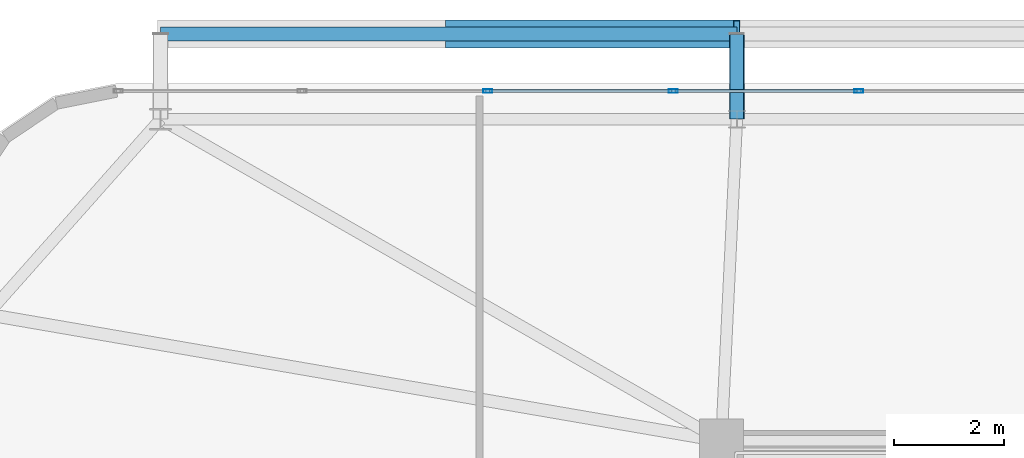
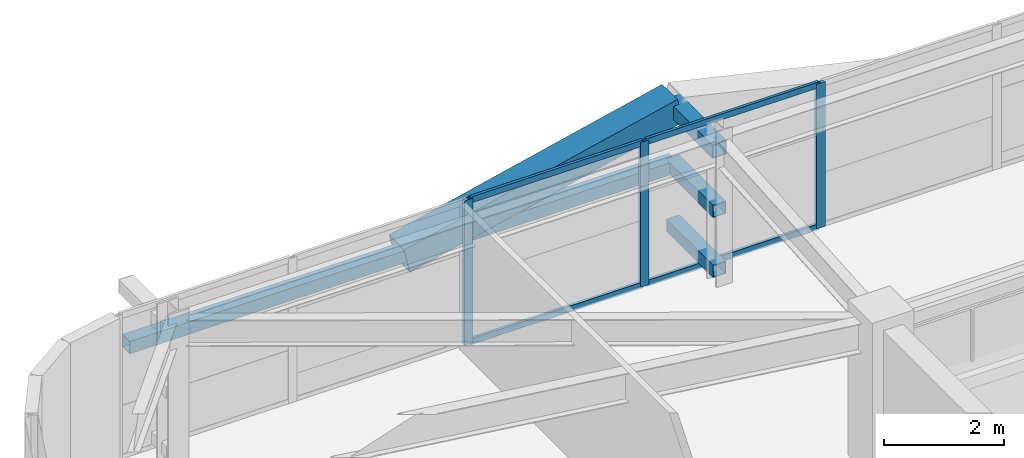
# One storey, part 35 of 59: 12 members, 1 element without a shape of its own.
"""IFC4 building model written with IfcOpenShell, lengths in metres."""

import ifcopenshell
import ifcopenshell.guid

model = None  # the IFC model being written
_history = None  # IfcOwnerHistory: only IFC2X3 demands one
_inside = {}  # id of a spatial element -> (the spatial element, [elements in it])
_under = {}  # id of a project, library or spatial element -> (it, [spatial elements below it])
_declared = {}  # id of a project -> (the project, [libraries it declares])
_typed = {}  # id of a type object -> (the type object, [elements of that type])
_made_of = {}  # id of a material, layer set ... -> (it, [elements and type objects made of it])


def new_model(schema):
    """Start an empty IFC model of exactly this schema.

    Asked for "IFC4X3", IfcOpenShell would pick the latest addendum, in which some entities
    have other attributes; the version numbers below select the first issue.
    IFC2X3 requires an IfcOwnerHistory on every rooted entity: one is made here for all.
    """
    global model, _history
    if schema == "IFC4X3":
        model = ifcopenshell.file(schema_version=(4, 3, 0, 0))
    else:
        model = ifcopenshell.file(schema=schema)
    _inside.clear()
    _under.clear()
    _declared.clear()
    _typed.clear()
    _made_of.clear()
    _history = None
    if model.schema == "IFC2X3":
        org = make("IfcOrganization", Name="unknown")
        user = make(
            "IfcPersonAndOrganization",
            ThePerson=make("IfcPerson", FamilyName="unknown"),
            TheOrganization=org,
        )
        app = make(
            "IfcApplication",
            ApplicationDeveloper=org,
            Version="unknown",
            ApplicationFullName="unknown",
            ApplicationIdentifier="unknown",
        )
        _history = make(
            "IfcOwnerHistory",
            OwningUser=user,
            OwningApplication=app,
            ChangeAction="ADDED",
            CreationDate=0,
        )
    return model


def make(cls, **values):
    """One entity of the class cls with the attributes given. An attribute that is None is left unset."""
    return model.create_entity(
        cls, **{name: value for name, value in values.items() if value is not None}
    )


def rooted(cls, **values):
    """An entity with a GlobalId (a new one), such as an element, a storey or a relation."""
    return make(cls, GlobalId=ifcopenshell.guid.new(), OwnerHistory=_history, **values)


def si_unit(unit_type, name, prefix=None):
    """IfcSIUnit, for example si_unit("LENGTHUNIT", "METRE", prefix="MILLI")."""
    return make("IfcSIUnit", UnitType=unit_type, Prefix=prefix, Name=name)


def assignment(units):
    """IfcUnitAssignment: the units of a project."""
    return None if units is None else make("IfcUnitAssignment", Units=units)


def point(xyz):
    """IfcCartesianPoint."""
    return None if xyz is None else make("IfcCartesianPoint", Coordinates=xyz)


def direction(xyz):
    """IfcDirection."""
    return None if xyz is None else make("IfcDirection", DirectionRatios=xyz)


def frame(location, z_axis=None, x_axis=None):
    """IfcAxis2Placement3D, a coordinate frame: its origin and axes. An axis left out is left unset."""
    return make(
        "IfcAxis2Placement3D",
        Location=point(location),
        Axis=direction(z_axis),
        RefDirection=direction(x_axis),
    )


def frame_2d(location, x_axis=None):
    """IfcAxis2Placement2D, a coordinate frame in the plane: its origin and x axis."""
    return make(
        "IfcAxis2Placement2D", Location=point(location), RefDirection=direction(x_axis)
    )


def origin():
    """The frame at (0, 0, 0) with its axes left unset."""
    return frame((0.0, 0.0, 0.0))


def origin_2d():
    """The frame at (0, 0) in the plane with its x axis left unset."""
    return frame_2d((0.0, 0.0))


def place(relative_to, where):
    """IfcLocalPlacement: puts the frame where relative to a parent placement (None: the world)."""
    return make(
        "IfcLocalPlacement", PlacementRelTo=relative_to, RelativePlacement=where
    )


def context(
    kind, dimensions, precision=None, world=None, true_north=None, identifier=None
):
    """IfcGeometricRepresentationContext, for example the 3D "Model" context."""
    return make(
        "IfcGeometricRepresentationContext",
        ContextIdentifier=identifier,
        ContextType=kind,
        CoordinateSpaceDimension=dimensions,
        Precision=precision,
        WorldCoordinateSystem=world,
        TrueNorth=true_north,
    )


def subcontext(parent, identifier, kind, view, scale=None):
    """IfcGeometricRepresentationSubContext, for example "Body" below "Model"."""
    return make(
        "IfcGeometricRepresentationSubContext",
        ContextIdentifier=identifier,
        ContextType=kind,
        ParentContext=parent,
        TargetScale=scale,
        TargetView=view,
    )


def project(units=None, contexts=None):
    """IfcProject with its units and contexts."""
    return rooted(
        "IfcProject",
        Name="project",
        RepresentationContexts=contexts,
        UnitsInContext=assignment(units),
    )


def spatial(cls, under=None, at=None, **own):
    """A site, building, storey or space (cls), placed at a placement, below another one or the project."""
    s = rooted(cls, ObjectPlacement=at, **own)
    if under is not None:
        _under.setdefault(under.id(), (under, []))[1].append(s)
    return s


def profile(cls, at=None, kind="AREA", **sizes):
    """A parametric profile (cls). Its sizes go by their IFC names, for example OverallWidth=200.0."""
    return make(cls, ProfileType=kind, Position=at, **sizes)


def hollow_rectangle(**sizes):
    """IfcRectangleHollowProfileDef."""
    return profile("IfcRectangleHollowProfileDef", **sizes)


def extrude(swept, where, along, depth):
    """IfcExtrudedAreaSolid: the profile swept, set in the frame where, extruded along a direction by depth."""
    return make(
        "IfcExtrudedAreaSolid",
        SweptArea=swept,
        Position=where,
        ExtrudedDirection=direction(along),
        Depth=depth,
    )


def shape(context_of_items, identifier, shape_type, items):
    """IfcShapeRepresentation: the items that make up one representation, for example the "Body"."""
    return make(
        "IfcShapeRepresentation",
        ContextOfItems=context_of_items,
        RepresentationIdentifier=identifier,
        RepresentationType=shape_type,
        Items=items,
    )


def source(mapping_origin, context_of_items, identifier, shape_type, items):
    """IfcRepresentationMap: a shape defined once, which mapped items show again and again."""
    return make(
        "IfcRepresentationMap",
        MappingOrigin=mapping_origin,
        MappedRepresentation=shape(context_of_items, identifier, shape_type, items),
    )


def transform(
    local_origin,
    x_axis=None,
    y_axis=None,
    z_axis=None,
    scale=None,
    scale2=None,
    scale3=None,
    uniform=True,
):
    """IfcCartesianTransformationOperator3D, or its non-uniform kind. x_axis, y_axis, z_axis: its Axis1, 2, 3."""
    if uniform:
        return make(
            "IfcCartesianTransformationOperator3D",
            Axis1=direction(x_axis),
            Axis2=direction(y_axis),
            LocalOrigin=point(local_origin),
            Scale=scale,
            Axis3=direction(z_axis),
        )
    return make(
        "IfcCartesianTransformationOperator3DnonUniform",
        Axis1=direction(x_axis),
        Axis2=direction(y_axis),
        LocalOrigin=point(local_origin),
        Scale=scale,
        Axis3=direction(z_axis),
        Scale2=scale2,
        Scale3=scale3,
    )


def mapped(mapping_source, mapping_target):
    """IfcMappedItem: shows the shape of a source again, moved by a transform."""
    return make(
        "IfcMappedItem", MappingSource=mapping_source, MappingTarget=mapping_target
    )


def material(Name=None, Category=None):
    """IfcMaterial."""
    return make("IfcMaterial", Name=Name, Category=Category)


def layer(
    of_material, thickness, ventilated=None, Name=None, Category=None, Priority=None
):
    """IfcMaterialLayer: one layer of a wall or slab, of a material (None: an air gap)."""
    return make(
        "IfcMaterialLayer",
        Material=of_material,
        LayerThickness=thickness,
        IsVentilated=ventilated,
        Name=Name,
        Category=Category,
        Priority=Priority,
    )


def layer_set(layers, Name=None):
    """IfcMaterialLayerSet."""
    return make("IfcMaterialLayerSet", MaterialLayers=layers, LayerSetName=Name)


def material_profile(
    of_material, cross_section, Name=None, Category=None, Priority=None
):
    """IfcMaterialProfile: a cross section and its material."""
    return make(
        "IfcMaterialProfile",
        Name=Name,
        Material=of_material,
        Profile=cross_section,
        Priority=Priority,
        Category=Category,
    )


def profile_set(profiles, Name=None, composite=None):
    """IfcMaterialProfileSet."""
    return make(
        "IfcMaterialProfileSet",
        Name=Name,
        MaterialProfiles=profiles,
        CompositeProfile=composite,
    )


def made_of(thing, what):
    """Note that an element or type object is made of a material, layer set ...; save() writes the relation."""
    if what is not None:
        _made_of.setdefault(what.id(), (what, []))[1].append(thing)
    return thing


def type_object(cls, material=None, **own):
    """A type object (cls), such as IfcWallType, which elements share."""
    return made_of(rooted(cls, **own), material)


def element(
    cls,
    number,
    at=None,
    inside=None,
    cuts=None,
    type_object=None,
    material=None,
    context=None,
    identifier="Body",
    shape_type=None,
    held_by="IfcProductDefinitionShape",
    body=None,
    shapes=None,
    **own,
):
    """One element of the class cls, such as IfcWall. Its Tag is "e" and its number.

    at: its placement. inside: the storey or other place that contains it. cuts: it is an
    opening in that element (IfcRelVoidsElement). A single representation is given by context,
    identifier, shape_type and body (its items); several are given by shapes. held_by: the class
    of the entity that holds the representations. save() writes the other relations.
    """
    e = rooted(cls, Tag="e%d" % number, ObjectPlacement=at, **own)
    if body is not None:
        shapes = [shape(context, identifier, shape_type, body)]
    if shapes is not None:
        e.Representation = make(held_by, Representations=shapes)
    if inside is not None:
        _inside.setdefault(inside.id(), (inside, []))[1].append(e)
    if cuts is not None:
        rooted(
            "IfcRelVoidsElement", RelatingBuildingElement=cuts, RelatedOpeningElement=e
        )
    if type_object is not None:
        _typed.setdefault(type_object.id(), (type_object, []))[1].append(e)
    return made_of(e, material)


def aggregate(whole, parts):
    """IfcRelAggregates: a whole, such as a stair, and the parts it consists of."""
    return rooted("IfcRelAggregates", RelatingObject=whole, RelatedObjects=parts)


def save(model, path):
    """Write the relations noted so far, then the file.

    IfcRelAggregates (storeys below a building ...), IfcRelContainedInSpatialStructure (elements
    in a storey), IfcRelDefinesByType, IfcRelAssociatesMaterial and IfcRelDeclares: one each for
    every whole, place, type object, material and project.
    """
    for whole, parts in _under.values():
        aggregate(whole, parts)
    for where, things in _inside.values():
        rooted(
            "IfcRelContainedInSpatialStructure",
            RelatedElements=things,
            RelatingStructure=where,
        )
    for kind, things in _typed.values():
        rooted("IfcRelDefinesByType", RelatedObjects=things, RelatingType=kind)
    for what, things in _made_of.values():
        rooted("IfcRelAssociatesMaterial", RelatedObjects=things, RelatingMaterial=what)
    for by, libraries in _declared.values():
        rooted("IfcRelDeclares", RelatingContext=by, RelatedDefinitions=libraries)
    model.write(path)


model = new_model("IFC4")

# Units and contexts
model_context = context("Model", 3, precision=1e-05, world=origin(), true_north=direction((0.0, 1.0)))
body_context = subcontext(model_context, "Body", "Model", "MODEL_VIEW")
ifc_project = project(units=[si_unit("LENGTHUNIT", "METRE"), si_unit("AREAUNIT", "SQUARE_METRE"), si_unit("VOLUMEUNIT", "CUBIC_METRE"), si_unit("PLANEANGLEUNIT", "RADIAN"), si_unit("MASSUNIT", "GRAM", prefix="KILO")], contexts=[model_context])

# Site, building, storey
site_placement = place(None, origin())
site = spatial("IfcSite", under=ifc_project, at=site_placement, CompositionType="ELEMENT")
building_placement = place(site_placement, origin())
building = spatial("IfcBuilding", under=site, at=building_placement, Name="Taldren Reach Tower", CompositionType="ELEMENT")
storey_placement = place(building_placement, frame((0.0, 0.0, 29.39990234375)))
storey = spatial("IfcBuildingStorey", under=building, at=storey_placement, Name="L08", CompositionType="ELEMENT", Elevation=29.39990234375)

# Members
ifc_material_1 = material(Name="Steel Gr 450 (C450L0)", Category="steel")
ifc_material_profile_1 = material_profile(ifc_material_1, hollow_rectangle(XDim=0.27490234375, YDim=0.27490234375, WallThickness=0.00927734375, at=origin_2d()), Name="275x275x9.3SHS")
ifc_profile_set_1 = profile_set([ifc_material_profile_1], Name="Steel Gr 450 (C450L0)")
member_type_1 = type_object("IfcMemberType", Name="MB-TIE273", PredefinedType="STRUT", material=ifc_profile_set_1)
shared_shape_1 = source(origin(), body_context, "Body", "SweptSolid", [
    extrude(hollow_rectangle(XDim=0.27490234375, YDim=0.27490234375, WallThickness=0.00927734375, at=origin_2d()), origin(), (0.0, 0.0, 1.0), 1.5498046875),
])
member_1_placement = place(storey_placement, frame((19.280029296875, 37.85009765625, 2.650146484375), z_axis=(0.0, 1.0, 0.0), x_axis=(-1.0, 0.0, 0.0)))
element("IfcMember", 1, at=member_1_placement, inside=storey, type_object=member_type_1, Name="Exoskeleton diaphragm tie strut B1-N2 L08", PredefinedType="STRUT", context=body_context, shape_type="MappedRepresentation", body=[
    mapped(shared_shape_1, transform((0.0, 0.0, 0.0), scale=1.0)),
])
ifc_material_profile_2 = material_profile(ifc_material_1, hollow_rectangle(XDim=0.510009765625, YDim=0.510009765625, WallThickness=0.02001953125, at=origin_2d()), Name="510x510x20.0SHS")
ifc_profile_set_2 = profile_set([ifc_material_profile_2], Name="Steel Gr 450 (C450L0)")
member_type_2 = type_object("IfcMemberType", Name="MB-EXO508", PredefinedType="BRACE", material=ifc_profile_set_2)
shared_shape_2 = source(origin(), body_context, "Body", "SweptSolid", [
    extrude(hollow_rectangle(XDim=0.510009765625, YDim=0.510009765625, WallThickness=0.02001953125, at=origin_2d()), origin(), (0.0, 0.0, 1.0), 5.37890625),
])
member_2_placement = place(storey_placement, frame((14.0400390625, 39.39990234375, 1.43505859375), z_axis=(0.97415197996, 0.0, 0.225893603143), x_axis=(0.0, 1.0, 0.0)))
element("IfcMember", 2, at=member_2_placement, inside=storey, type_object=member_type_2, Name="Exoskeleton Diagrid Brace B1-N1 L08", PredefinedType="BRACE", context=body_context, shape_type="MappedRepresentation", body=[
    mapped(shared_shape_2, transform((0.0, 0.0, 0.0), scale=1.0)),
])
ifc_material_2 = material(Name="Steel Gr 350 (C350L0)", Category="steel")
ifc_material_profile_3 = material_profile(ifc_material_2, hollow_rectangle(XDim=0.25, YDim=0.25, WallThickness=0.010009765625, at=origin_2d()), Name="250x250x10.0SHS")
ifc_profile_set_3 = profile_set([ifc_material_profile_3], Name="Steel Gr 350 (C350L0)")
member_type_3 = type_object("IfcMemberType", Name="MB-POST250", PredefinedType="POST", material=ifc_profile_set_3)
shared_shape_3 = source(origin(), body_context, "Body", "SweptSolid", [
    extrude(hollow_rectangle(XDim=0.25, YDim=0.25, WallThickness=0.010009765625, at=origin_2d()), origin(), (0.0, 0.0, 1.0), 10.47998046875),
])
member_3_placement = place(storey_placement, frame((8.800048828125, 39.39990234375, 1.43505859375), z_axis=(1.0, 0.0, 0.0), x_axis=(0.0, 1.0, 0.0)))
element("IfcMember", 3, at=member_3_placement, inside=storey, type_object=member_type_3, Name="Exoskeleton mid-height ring chord B1-N1 L08", PredefinedType="POST", context=body_context, shape_type="MappedRepresentation", body=[
    mapped(shared_shape_3, transform((0.0, 0.0, 0.0), scale=1.0)),
])
shared_shape_4 = source(origin(), body_context, "Body", "SweptSolid", [
    extrude(hollow_rectangle(XDim=0.25, YDim=0.25, WallThickness=0.010009765625, at=origin_2d()), origin(), (0.0, 0.0, 1.0), 1.5498046875),
])
for number, where, z_axis, x_axis, name in (
    (4, (19.280029296875, 37.85009765625, 0.22021484375), (0.0, 1.0, 0.0), (-1.0, 0.0, 0.0), "Exoskeleton base diaphragm tie strut B1-N2 L08"),
    (5, (19.280029296875, 37.85009765625, 1.43505859375), (0.0, 1.0, 0.0), (-1.0, 0.0, 0.0), "Exoskeleton mid-tier diaphragm tie B1-N2 L08"),
):
    element("IfcMember", number, at=place(storey_placement, frame(where, z_axis=z_axis, x_axis=x_axis)), inside=storey, type_object=member_type_3, Name=name, PredefinedType="POST", context=body_context, shape_type="MappedRepresentation", body=[
        mapped(shared_shape_4, transform((0.0, 0.0, 0.0), scale=1.0)),
    ])

# Curtain wall, members
ifc_material_3 = material(Name="Aluminium and Low-E Glass Unitised System", Category="aluminium")
ifc_layer = layer(ifc_material_3, 0.159912109375)
ifc_layer_set = layer_set([ifc_layer], Name="Aluminium and Low-E Glass Unitised System")
curtain_wall_type = type_object("IfcCurtainWallType", Name="CW-SYS-2", PredefinedType="NOTDEFINED", material=ifc_layer_set)
curtain_wall_placement = place(storey_placement, origin())
curtain_wall = element("IfcCurtainWall", 6, at=curtain_wall_placement, inside=storey, type_object=curtain_wall_type, Name="Unitised curtain wall CW-L08-N", PredefinedType="NOTDEFINED")
ifc_material_4 = material(Name="Anodised Aluminium 6063-T6", Category="aluminium")
ifc_material_profile_4 = material_profile(ifc_material_4, hollow_rectangle(XDim=0.054931640625, YDim=0.1201171875, WallThickness=0.0029296875, at=origin_2d()), Name="ALU-120x55x3RHS")
ifc_profile_set_4 = profile_set([ifc_material_profile_4], Name="Anodised Aluminium 6063-T6")
member_type_4 = type_object("IfcMemberType", Name="CW-TRN-135", PredefinedType="USERDEFINED", material=ifc_profile_set_4)
shared_shape_5 = source(origin(), body_context, "Body", "SweptSolid", [
    extrude(hollow_rectangle(XDim=0.054931640625, YDim=0.1201171875, WallThickness=0.0029296875, at=origin_2d()), origin(), (0.0, 0.0, 1.0), 3.31005859375),
])
member_4_placement = place(storey_placement, frame((21.467529296875, 38.360107421875, 0.027587890625), z_axis=(-1.0, 0.0, 0.0), x_axis=(0.0, -1.0, 0.0)))
member_4 = element("IfcMember", 7, at=member_4_placement, type_object=member_type_4, Name="CW-2 transom 13.1", ObjectType="TRANSOM", PredefinedType="USERDEFINED", context=body_context, shape_type="MappedRepresentation", body=[
    mapped(shared_shape_5, transform((0.0, 0.0, 0.0), scale=1.0)),
])
member_5_placement = place(storey_placement, frame((21.467529296875, 38.360107421875, 2.902587890625), z_axis=(-1.0, 0.0, 0.0), x_axis=(0.0, -1.0, 0.0)))
member_5 = element("IfcMember", 8, at=member_5_placement, type_object=member_type_4, Name="CW-2 transom 13.2", ObjectType="TRANSOM", PredefinedType="USERDEFINED", context=body_context, shape_type="MappedRepresentation", body=[
    mapped(shared_shape_5, transform((0.0, 0.0, 0.0), scale=1.0)),
])
member_6_placement = place(storey_placement, frame((18.092529296875, 38.360107421875, 0.027587890625), z_axis=(-1.0, 0.0, 0.0), x_axis=(0.0, -1.0, 0.0)))
member_6 = element("IfcMember", 9, at=member_6_placement, type_object=member_type_4, Name="CW-2 transom 14.1", ObjectType="TRANSOM", PredefinedType="USERDEFINED", context=body_context, shape_type="MappedRepresentation", body=[
    mapped(shared_shape_5, transform((0.0, 0.0, 0.0), scale=1.0)),
])
member_7_placement = place(storey_placement, frame((18.092529296875, 38.360107421875, 2.902587890625), z_axis=(-1.0, 0.0, 0.0), x_axis=(0.0, -1.0, 0.0)))
member_7 = element("IfcMember", 10, at=member_7_placement, type_object=member_type_4, Name="CW-2 transom 14.2", ObjectType="TRANSOM", PredefinedType="USERDEFINED", context=body_context, shape_type="MappedRepresentation", body=[
    mapped(shared_shape_5, transform((0.0, 0.0, 0.0), scale=1.0)),
])
ifc_material_profile_5 = material_profile(ifc_material_4, hollow_rectangle(XDim=0.06494140625, YDim=0.1650390625, WallThickness=0.00390625, at=origin_2d()), Name="ALU-165x65x4RHS")
ifc_profile_set_5 = profile_set([ifc_material_profile_5], Name="Anodised Aluminium 6063-T6")
member_type_5 = type_object("IfcMemberType", Name="CW-MUL-165", PredefinedType="MULLION", material=ifc_profile_set_5)
shared_shape_6 = source(origin(), body_context, "Body", "SweptSolid", [
    extrude(hollow_rectangle(XDim=0.06494140625, YDim=0.1650390625, WallThickness=0.00390625, at=origin_2d()), origin(), (0.0, 0.0, 1.0), 2.93017578125),
])
member_8_placement = place(storey_placement, frame((21.5, 38.360107421875, 0.0), z_axis=(0.0, 0.0, 1.0), x_axis=(0.0, -1.0, 0.0)))
member_8 = element("IfcMember", 11, at=member_8_placement, type_object=member_type_5, Name="CW-2 mullion 13", PredefinedType="MULLION", context=body_context, shape_type="MappedRepresentation", body=[
    mapped(shared_shape_6, transform((0.0, 0.0, 0.0), scale=1.0)),
])
member_9_placement = place(storey_placement, frame((18.125, 38.360107421875, 0.0), z_axis=(0.0, 0.0, 1.0), x_axis=(0.0, -1.0, 0.0)))
member_9 = element("IfcMember", 12, at=member_9_placement, type_object=member_type_5, Name="CW-2 mullion 14", PredefinedType="MULLION", context=body_context, shape_type="MappedRepresentation", body=[
    mapped(shared_shape_6, transform((0.0, 0.0, 0.0), scale=1.0)),
])
member_10_placement = place(storey_placement, frame((14.75, 38.360107421875, 0.0), z_axis=(0.0, 0.0, 1.0), x_axis=(0.0, -1.0, 0.0)))
member_10 = element("IfcMember", 13, at=member_10_placement, type_object=member_type_5, Name="CW-2 mullion 15", PredefinedType="MULLION", context=body_context, shape_type="MappedRepresentation", body=[
    mapped(shared_shape_6, transform((0.0, 0.0, 0.0), scale=1.0)),
])
aggregate(curtain_wall, [member_8, member_9, member_10, member_4, member_5, member_6, member_7])

save(model, "model.ifc")
